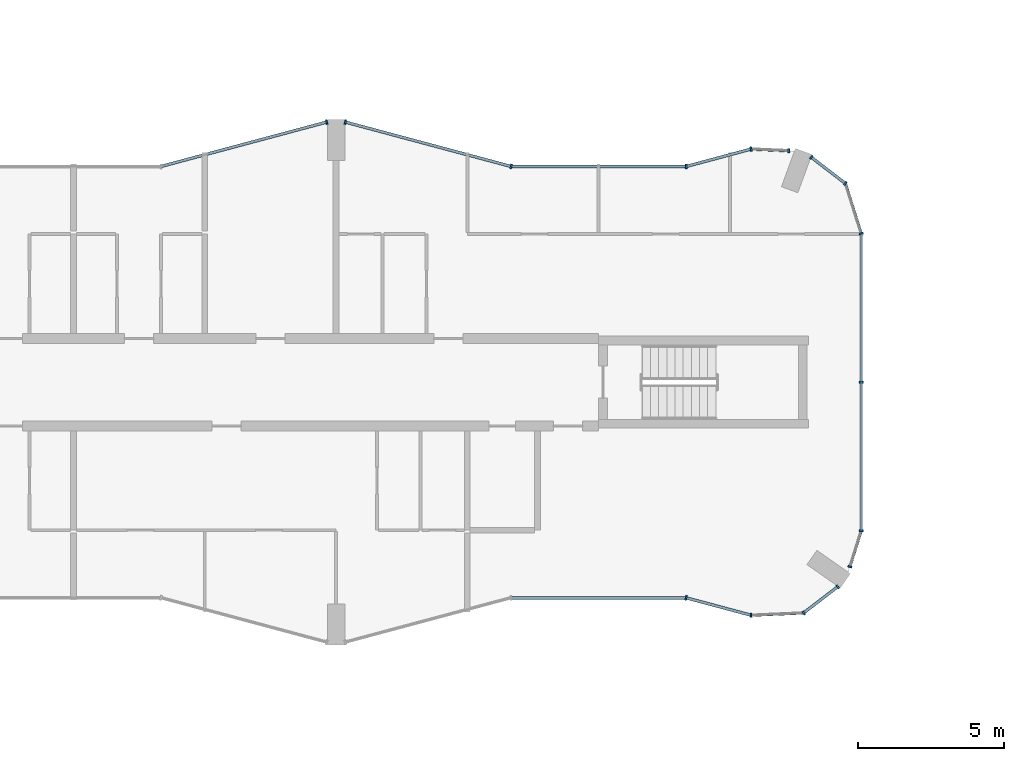
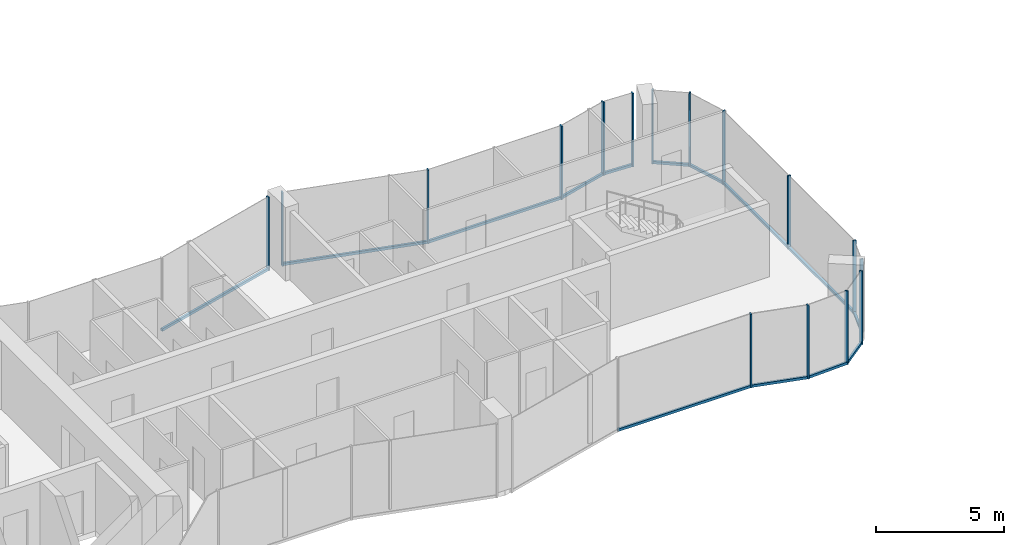
# One storey, part 5 of 23: 29 members, 13 elements without a shape of their own.
"""IFC4 building model written with IfcOpenShell, lengths in metres."""

import ifcopenshell
import ifcopenshell.guid

model = None  # the IFC model being written
_history = None  # IfcOwnerHistory: only IFC2X3 demands one
_inside = {}  # id of a spatial element -> (the spatial element, [elements in it])
_under = {}  # id of a project, library or spatial element -> (it, [spatial elements below it])
_declared = {}  # id of a project -> (the project, [libraries it declares])
_typed = {}  # id of a type object -> (the type object, [elements of that type])
_made_of = {}  # id of a material, layer set ... -> (it, [elements and type objects made of it])


def new_model(schema):
    """Start an empty IFC model of exactly this schema.

    Asked for "IFC4X3", IfcOpenShell would pick the latest addendum, in which some entities
    have other attributes; the version numbers below select the first issue.
    IFC2X3 requires an IfcOwnerHistory on every rooted entity: one is made here for all.
    """
    global model, _history
    if schema == "IFC4X3":
        model = ifcopenshell.file(schema_version=(4, 3, 0, 0))
    else:
        model = ifcopenshell.file(schema=schema)
    _inside.clear()
    _under.clear()
    _declared.clear()
    _typed.clear()
    _made_of.clear()
    _history = None
    if model.schema == "IFC2X3":
        org = make("IfcOrganization", Name="unknown")
        user = make(
            "IfcPersonAndOrganization",
            ThePerson=make("IfcPerson", FamilyName="unknown"),
            TheOrganization=org,
        )
        app = make(
            "IfcApplication",
            ApplicationDeveloper=org,
            Version="unknown",
            ApplicationFullName="unknown",
            ApplicationIdentifier="unknown",
        )
        _history = make(
            "IfcOwnerHistory",
            OwningUser=user,
            OwningApplication=app,
            ChangeAction="ADDED",
            CreationDate=0,
        )
    return model


def make(cls, **values):
    """One entity of the class cls with the attributes given. An attribute that is None is left unset."""
    return model.create_entity(
        cls, **{name: value for name, value in values.items() if value is not None}
    )


def rooted(cls, **values):
    """An entity with a GlobalId (a new one), such as an element, a storey or a relation."""
    return make(cls, GlobalId=ifcopenshell.guid.new(), OwnerHistory=_history, **values)


def si_unit(unit_type, name, prefix=None):
    """IfcSIUnit, for example si_unit("LENGTHUNIT", "METRE", prefix="MILLI")."""
    return make("IfcSIUnit", UnitType=unit_type, Prefix=prefix, Name=name)


def assignment(units):
    """IfcUnitAssignment: the units of a project."""
    return None if units is None else make("IfcUnitAssignment", Units=units)


def point(xyz):
    """IfcCartesianPoint."""
    return None if xyz is None else make("IfcCartesianPoint", Coordinates=xyz)


def direction(xyz):
    """IfcDirection."""
    return None if xyz is None else make("IfcDirection", DirectionRatios=xyz)


def frame(location, z_axis=None, x_axis=None):
    """IfcAxis2Placement3D, a coordinate frame: its origin and axes. An axis left out is left unset."""
    return make(
        "IfcAxis2Placement3D",
        Location=point(location),
        Axis=direction(z_axis),
        RefDirection=direction(x_axis),
    )


def frame_2d(location, x_axis=None):
    """IfcAxis2Placement2D, a coordinate frame in the plane: its origin and x axis."""
    return make(
        "IfcAxis2Placement2D", Location=point(location), RefDirection=direction(x_axis)
    )


def origin():
    """The frame at (0, 0, 0) with its axes left unset."""
    return frame((0.0, 0.0, 0.0))


def origin_2d():
    """The frame at (0, 0) in the plane with its x axis left unset."""
    return frame_2d((0.0, 0.0))


def place(relative_to, where):
    """IfcLocalPlacement: puts the frame where relative to a parent placement (None: the world)."""
    return make(
        "IfcLocalPlacement", PlacementRelTo=relative_to, RelativePlacement=where
    )


def context(
    kind, dimensions, precision=None, world=None, true_north=None, identifier=None
):
    """IfcGeometricRepresentationContext, for example the 3D "Model" context."""
    return make(
        "IfcGeometricRepresentationContext",
        ContextIdentifier=identifier,
        ContextType=kind,
        CoordinateSpaceDimension=dimensions,
        Precision=precision,
        WorldCoordinateSystem=world,
        TrueNorth=true_north,
    )


def subcontext(parent, identifier, kind, view, scale=None):
    """IfcGeometricRepresentationSubContext, for example "Body" below "Model"."""
    return make(
        "IfcGeometricRepresentationSubContext",
        ContextIdentifier=identifier,
        ContextType=kind,
        ParentContext=parent,
        TargetScale=scale,
        TargetView=view,
    )


def project(units=None, contexts=None):
    """IfcProject with its units and contexts."""
    return rooted(
        "IfcProject",
        Name="project",
        RepresentationContexts=contexts,
        UnitsInContext=assignment(units),
    )


def spatial(cls, under=None, at=None, **own):
    """A site, building, storey or space (cls), placed at a placement, below another one or the project."""
    s = rooted(cls, ObjectPlacement=at, **own)
    if under is not None:
        _under.setdefault(under.id(), (under, []))[1].append(s)
    return s


def profile(cls, at=None, kind="AREA", **sizes):
    """A parametric profile (cls). Its sizes go by their IFC names, for example OverallWidth=200.0."""
    return make(cls, ProfileType=kind, Position=at, **sizes)


def rectangle(**sizes):
    """IfcRectangleProfileDef."""
    return profile("IfcRectangleProfileDef", **sizes)


def extrude(swept, where, along, depth):
    """IfcExtrudedAreaSolid: the profile swept, set in the frame where, extruded along a direction by depth."""
    return make(
        "IfcExtrudedAreaSolid",
        SweptArea=swept,
        Position=where,
        ExtrudedDirection=direction(along),
        Depth=depth,
    )


def shape(context_of_items, identifier, shape_type, items):
    """IfcShapeRepresentation: the items that make up one representation, for example the "Body"."""
    return make(
        "IfcShapeRepresentation",
        ContextOfItems=context_of_items,
        RepresentationIdentifier=identifier,
        RepresentationType=shape_type,
        Items=items,
    )


def material(Name=None, Category=None):
    """IfcMaterial."""
    return make("IfcMaterial", Name=Name, Category=Category)


def layer(
    of_material, thickness, ventilated=None, Name=None, Category=None, Priority=None
):
    """IfcMaterialLayer: one layer of a wall or slab, of a material (None: an air gap)."""
    return make(
        "IfcMaterialLayer",
        Material=of_material,
        LayerThickness=thickness,
        IsVentilated=ventilated,
        Name=Name,
        Category=Category,
        Priority=Priority,
    )


def layer_set(layers, Name=None):
    """IfcMaterialLayerSet."""
    return make("IfcMaterialLayerSet", MaterialLayers=layers, LayerSetName=Name)


def material_profile(
    of_material, cross_section, Name=None, Category=None, Priority=None
):
    """IfcMaterialProfile: a cross section and its material."""
    return make(
        "IfcMaterialProfile",
        Name=Name,
        Material=of_material,
        Profile=cross_section,
        Priority=Priority,
        Category=Category,
    )


def profile_set(profiles, Name=None, composite=None):
    """IfcMaterialProfileSet."""
    return make(
        "IfcMaterialProfileSet",
        Name=Name,
        MaterialProfiles=profiles,
        CompositeProfile=composite,
    )


def made_of(thing, what):
    """Note that an element or type object is made of a material, layer set ...; save() writes the relation."""
    if what is not None:
        _made_of.setdefault(what.id(), (what, []))[1].append(thing)
    return thing


def type_object(cls, material=None, **own):
    """A type object (cls), such as IfcWallType, which elements share."""
    return made_of(rooted(cls, **own), material)


def element(
    cls,
    number,
    at=None,
    inside=None,
    cuts=None,
    type_object=None,
    material=None,
    context=None,
    identifier="Body",
    shape_type=None,
    held_by="IfcProductDefinitionShape",
    body=None,
    shapes=None,
    **own,
):
    """One element of the class cls, such as IfcWall. Its Tag is "e" and its number.

    at: its placement. inside: the storey or other place that contains it. cuts: it is an
    opening in that element (IfcRelVoidsElement). A single representation is given by context,
    identifier, shape_type and body (its items); several are given by shapes. held_by: the class
    of the entity that holds the representations. save() writes the other relations.
    """
    e = rooted(cls, Tag="e%d" % number, ObjectPlacement=at, **own)
    if body is not None:
        shapes = [shape(context, identifier, shape_type, body)]
    if shapes is not None:
        e.Representation = make(held_by, Representations=shapes)
    if inside is not None:
        _inside.setdefault(inside.id(), (inside, []))[1].append(e)
    if cuts is not None:
        rooted(
            "IfcRelVoidsElement", RelatingBuildingElement=cuts, RelatedOpeningElement=e
        )
    if type_object is not None:
        _typed.setdefault(type_object.id(), (type_object, []))[1].append(e)
    return made_of(e, material)


def aggregate(whole, parts):
    """IfcRelAggregates: a whole, such as a stair, and the parts it consists of."""
    return rooted("IfcRelAggregates", RelatingObject=whole, RelatedObjects=parts)


def save(model, path):
    """Write the relations noted so far, then the file.

    IfcRelAggregates (storeys below a building ...), IfcRelContainedInSpatialStructure (elements
    in a storey), IfcRelDefinesByType, IfcRelAssociatesMaterial and IfcRelDeclares: one each for
    every whole, place, type object, material and project.
    """
    for whole, parts in _under.values():
        aggregate(whole, parts)
    for where, things in _inside.values():
        rooted(
            "IfcRelContainedInSpatialStructure",
            RelatedElements=things,
            RelatingStructure=where,
        )
    for kind, things in _typed.values():
        rooted("IfcRelDefinesByType", RelatedObjects=things, RelatingType=kind)
    for what, things in _made_of.values():
        rooted("IfcRelAssociatesMaterial", RelatedObjects=things, RelatingMaterial=what)
    for by, libraries in _declared.values():
        rooted("IfcRelDeclares", RelatingContext=by, RelatedDefinitions=libraries)
    model.write(path)


model = new_model("IFC4")

# Units and contexts
model_context = context("Model", 3, precision=1e-05, world=origin(), true_north=direction((0.0, 1.0)))
body_context = subcontext(model_context, "Body", "Model", "MODEL_VIEW")
ifc_project = project(units=[si_unit("LENGTHUNIT", "METRE"), si_unit("AREAUNIT", "SQUARE_METRE"), si_unit("VOLUMEUNIT", "CUBIC_METRE"), si_unit("PLANEANGLEUNIT", "RADIAN"), si_unit("MASSUNIT", "GRAM", prefix="KILO")], contexts=[model_context])

# Site, building, storey
site_placement = place(None, origin())
site = spatial("IfcSite", under=ifc_project, at=site_placement, CompositionType="ELEMENT")
building_placement = place(site_placement, origin())
building = spatial("IfcBuilding", under=site, at=building_placement, Name="Plateau Cross Towers", CompositionType="ELEMENT")
storey_placement = place(building_placement, frame((0.0, 0.0, 40.800048828125)))
storey = spatial("IfcBuildingStorey", under=building, at=storey_placement, Name="L09", CompositionType="ELEMENT", Elevation=40.800048828125)

# Curtain wall, member
ifc_material_1 = material(Name="Dark low-iron glass", Category="glass")
ifc_layer_1 = layer(ifc_material_1, 0.239990234375)
ifc_layer_set_1 = layer_set([ifc_layer_1], Name="Dark low-iron glass")
curtain_wall_type_1 = type_object("IfcCurtainWallType", Name="Curtain wall flush unitised CW-B", PredefinedType="NOTDEFINED", material=ifc_layer_set_1)
curtain_wall_1_placement = place(storey_placement, origin())
curtain_wall_1 = element("IfcCurtainWall", 1, at=curtain_wall_1_placement, inside=storey, type_object=curtain_wall_type_1, Name="ENV/A/L09/A502_10", PredefinedType="NOTDEFINED")
ifc_material_2 = material(Name="Black anodised aluminium", Category="aluminium")
ifc_material_profile_1 = material_profile(ifc_material_2, rectangle(XDim=0.06005859375, YDim=0.139892578125, at=origin_2d()), Name="MULLION 60x140")
ifc_profile_set_1 = profile_set([ifc_material_profile_1], Name="Black anodised aluminium")
member_type_1 = type_object("IfcMemberType", Name="Mullion 60x140 flush unitised", PredefinedType="MULLION", material=ifc_profile_set_1)
member_1_placement = place(storey_placement, frame((50.223876953125, 1.01123046875, -0.25), z_axis=(0.0, 0.0, 1.0), x_axis=(0.999043701491, 0.043722791671, 0.0)))
member_1 = element("IfcMember", 2, at=member_1_placement, type_object=member_type_1, Name="CW-B mullion 1", PredefinedType="MULLION", context=body_context, shape_type="SweptSolid", body=[
    extrude(rectangle(XDim=0.06005859375, YDim=0.139892578125, at=origin_2d()), origin(), (0.0, 0.0, 1.0), 3.5),
])

# Curtain wall, members
curtain_wall_2_placement = place(storey_placement, origin())
curtain_wall_2 = element("IfcCurtainWall", 3, at=curtain_wall_2_placement, inside=storey, type_object=curtain_wall_type_1, Name="ENV/A/L09/A520_11", PredefinedType="NOTDEFINED")
member_2_placement = place(storey_placement, frame((52.0263671875, 1.090087890625, -0.25), z_axis=(0.0, 0.0, 1.0), x_axis=(0.793315514529, 0.608810721331, 0.0)))
member_2 = element("IfcMember", 4, at=member_2_placement, type_object=member_type_1, Name="CW-B mullion 1", PredefinedType="MULLION", context=body_context, shape_type="SweptSolid", body=[
    extrude(rectangle(XDim=0.06005859375, YDim=0.139892578125, at=origin_2d()), origin(), (0.0, 0.0, 1.0), 3.5),
])
member_3_placement = place(storey_placement, frame((53.193603515625, 1.986083984375, -0.25), z_axis=(0.0, 0.0, 1.0), x_axis=(0.793315514529, 0.608810721331, 0.0)))
member_3 = element("IfcMember", 5, at=member_3_placement, type_object=member_type_1, Name="CW-B mullion 2", PredefinedType="MULLION", context=body_context, shape_type="SweptSolid", body=[
    extrude(rectangle(XDim=0.06005859375, YDim=0.139892578125, at=origin_2d()), origin(), (0.0, 0.0, 1.0), 3.5),
])

# Curtain wall, member
curtain_wall_3_placement = place(storey_placement, origin())
curtain_wall_3 = element("IfcCurtainWall", 6, at=curtain_wall_3_placement, inside=storey, type_object=curtain_wall_type_1, Name="ENV/A/L09/A536_27", PredefinedType="NOTDEFINED")
member_4_placement = place(storey_placement, frame((53.611083984375, 2.67529296875, -0.25), z_axis=(0.0, 0.0, 1.0), x_axis=(0.300686174994, 0.95372313811, 0.0)))
member_4 = element("IfcMember", 7, at=member_4_placement, type_object=member_type_1, Name="CW-B mullion 1", PredefinedType="MULLION", context=body_context, shape_type="SweptSolid", body=[
    extrude(rectangle(XDim=0.06005859375, YDim=0.139892578125, at=origin_2d()), origin(), (0.0, 0.0, 1.0), 3.5),
])

# Curtain wall, members
curtain_wall_4_placement = place(storey_placement, origin())
curtain_wall_4 = element("IfcCurtainWall", 8, at=curtain_wall_4_placement, inside=storey, type_object=curtain_wall_type_1, Name="ENV/A/L09/A540_39", PredefinedType="NOTDEFINED")
member_5_placement = place(storey_placement, frame((54.0, 3.9091796875, -0.25), z_axis=(0.0, 0.0, 1.0), x_axis=(0.0, 1.0, 0.0)))
member_5 = element("IfcMember", 9, at=member_5_placement, type_object=member_type_1, Name="CW-B mullion 1", PredefinedType="MULLION", context=body_context, shape_type="SweptSolid", body=[
    extrude(rectangle(XDim=0.06005859375, YDim=0.139892578125, at=origin_2d()), origin(), (0.0, 0.0, 1.0), 3.5),
])
member_6_placement = place(storey_placement, frame((54.0, 9.0, -0.25), z_axis=(0.0, 0.0, 1.0), x_axis=(0.0, 1.0, 0.0)))
member_6 = element("IfcMember", 10, at=member_6_placement, type_object=member_type_1, Name="CW-B mullion 2", PredefinedType="MULLION", context=body_context, shape_type="SweptSolid", body=[
    extrude(rectangle(XDim=0.06005859375, YDim=0.139892578125, at=origin_2d()), origin(), (0.0, 0.0, 1.0), 3.5),
])

# Curtain wall, member
curtain_wall_5_placement = place(storey_placement, origin())
curtain_wall_5 = element("IfcCurtainWall", 11, at=curtain_wall_5_placement, inside=storey, type_object=curtain_wall_type_1, Name="ENV/A/L09/A540_141", PredefinedType="NOTDEFINED")
member_7_placement = place(storey_placement, frame((54.0, 14.0908203125, -0.25), z_axis=(0.0, 0.0, 1.0), x_axis=(-0.300686174994, 0.95372313811, 0.0)))
member_7 = element("IfcMember", 12, at=member_7_placement, type_object=member_type_1, Name="CW-B mullion 1", PredefinedType="MULLION", context=body_context, shape_type="SweptSolid", body=[
    extrude(rectangle(XDim=0.06005859375, YDim=0.139892578125, at=origin_2d()), origin(), (0.0, 0.0, 1.0), 3.5),
])

# Curtain wall, members
curtain_wall_6_placement = place(storey_placement, origin())
curtain_wall_6 = element("IfcCurtainWall", 13, at=curtain_wall_6_placement, inside=storey, type_object=curtain_wall_type_1, Name="ENV/A/L09/A535_158", PredefinedType="NOTDEFINED")
member_8_placement = place(storey_placement, frame((53.45751953125, 15.8115234375, -0.25), z_axis=(0.0, 0.0, 1.0), x_axis=(-0.793315514529, 0.608810721331, 0.0)))
member_8 = element("IfcMember", 14, at=member_8_placement, type_object=member_type_1, Name="CW-B mullion 1", PredefinedType="MULLION", context=body_context, shape_type="SweptSolid", body=[
    extrude(rectangle(XDim=0.06005859375, YDim=0.139892578125, at=origin_2d()), origin(), (0.0, 0.0, 1.0), 3.5),
])
member_9_placement = place(storey_placement, frame((52.290283203125, 16.707275390625, -0.25), z_axis=(0.0, 0.0, 1.0), x_axis=(-0.793315514529, 0.608810721331, 0.0)))
member_9 = element("IfcMember", 15, at=member_9_placement, type_object=member_type_1, Name="CW-B mullion 2", PredefinedType="MULLION", context=body_context, shape_type="SweptSolid", body=[
    extrude(rectangle(XDim=0.06005859375, YDim=0.139892578125, at=origin_2d()), origin(), (0.0, 0.0, 1.0), 3.5),
])

# Curtain wall, member
curtain_wall_7_placement = place(storey_placement, origin())
curtain_wall_7 = element("IfcCurtainWall", 16, at=curtain_wall_7_placement, inside=storey, type_object=curtain_wall_type_1, Name="ENV/A/L09/A515_169", PredefinedType="NOTDEFINED")
member_10_placement = place(storey_placement, frame((51.516357421875, 16.93212890625, -0.25), z_axis=(0.0, 0.0, 1.0), x_axis=(-0.999043701491, 0.043722791671, 0.0)))
member_10 = element("IfcMember", 17, at=member_10_placement, type_object=member_type_1, Name="CW-B mullion 1", PredefinedType="MULLION", context=body_context, shape_type="SweptSolid", body=[
    extrude(rectangle(XDim=0.06005859375, YDim=0.139892578125, at=origin_2d()), origin(), (0.0, 0.0, 1.0), 3.5),
])

ifc_layer_2 = layer(ifc_material_1, 0.260009765625)
ifc_layer_set_2 = layer_set([ifc_layer_2], Name="Dark low-iron glass")
curtain_wall_type_2 = type_object("IfcCurtainWallType", Name="Curtain wall fluted unitised CW-A", PredefinedType="NOTDEFINED", material=ifc_layer_set_2)
curtain_wall_8_placement = place(storey_placement, origin())
curtain_wall_8 = element("IfcCurtainWall", 18, at=curtain_wall_8_placement, inside=storey, type_object=curtain_wall_type_2, Name="ENV/A/L09/A480_16", PredefinedType="NOTDEFINED")
ifc_material_profile_2 = material_profile(ifc_material_2, rectangle(XDim=0.06005859375, YDim=0.159912109375, at=origin_2d()), Name="MULLION 60x160")
ifc_profile_set_2 = profile_set([ifc_material_profile_2], Name="Black anodised aluminium")
member_type_2 = type_object("IfcMemberType", Name="Mullion 60x160 fluted unitised", PredefinedType="MULLION", material=ifc_profile_set_2)
member_11_placement = place(storey_placement, frame((48.0, 1.60693359375, -0.25), z_axis=(0.0, 0.0, 1.0), x_axis=(0.965957962328, -0.258699081978, 0.0)))
member_11 = element("IfcMember", 19, at=member_11_placement, type_object=member_type_2, Name="CW-A mullion 1", PredefinedType="MULLION", context=body_context, shape_type="SweptSolid", body=[
    extrude(rectangle(XDim=0.06005859375, YDim=0.159912109375, at=origin_2d()), origin(), (0.0, 0.0, 1.0), 3.5),
])

curtain_wall_9_placement = place(storey_placement, origin())
curtain_wall_9 = element("IfcCurtainWall", 20, at=curtain_wall_9_placement, inside=storey, type_object=curtain_wall_type_2, Name="ENV/A/L09/A502_170", PredefinedType="NOTDEFINED")
member_12_placement = place(storey_placement, frame((50.223876953125, 16.98876953125, -0.25), z_axis=(0.0, 0.0, 1.0), x_axis=(-0.965957962328, -0.258699081978, 0.0)))
member_12 = element("IfcMember", 21, at=member_12_placement, type_object=member_type_2, Name="CW-A mullion 1", PredefinedType="MULLION", context=body_context, shape_type="SweptSolid", body=[
    extrude(rectangle(XDim=0.06005859375, YDim=0.159912109375, at=origin_2d()), origin(), (0.0, 0.0, 1.0), 3.5),
])

curtain_wall_10_placement = place(storey_placement, origin())
curtain_wall_10 = element("IfcCurtainWall", 22, at=curtain_wall_10_placement, inside=storey, type_object=curtain_wall_type_2, Name="ENV/A/L09/A480_164", PredefinedType="NOTDEFINED")
member_13_placement = place(storey_placement, frame((48.0, 16.39306640625, -0.25), z_axis=(0.0, 0.0, 1.0), x_axis=(-1.0, 0.0, 0.0)))
member_13 = element("IfcMember", 23, at=member_13_placement, type_object=member_type_2, Name="CW-A mullion 1", PredefinedType="MULLION", context=body_context, shape_type="SweptSolid", body=[
    extrude(rectangle(XDim=0.06005859375, YDim=0.159912109375, at=origin_2d()), origin(), (0.0, 0.0, 1.0), 3.5),
])

# Curtain wall, members
curtain_wall_11_placement = place(storey_placement, origin())
curtain_wall_11 = element("IfcCurtainWall", 24, at=curtain_wall_11_placement, inside=storey, type_object=curtain_wall_type_2, Name="ENV/A/L09/A420_164", PredefinedType="NOTDEFINED")
member_14_placement = place(storey_placement, frame((42.0, 16.39306640625, -0.25), z_axis=(0.0, 0.0, 1.0), x_axis=(-0.965957983404, 0.258699003279, 0.0)))
member_14 = element("IfcMember", 25, at=member_14_placement, type_object=member_type_2, Name="CW-A mullion 1", PredefinedType="MULLION", context=body_context, shape_type="SweptSolid", body=[
    extrude(rectangle(XDim=0.06005859375, YDim=0.159912109375, at=origin_2d()), origin(), (0.0, 0.0, 1.0), 3.5),
])
member_15_placement = place(storey_placement, frame((36.31787109375, 17.914794921875, -0.25), z_axis=(0.0, 0.0, 1.0), x_axis=(-0.965957983404, 0.258699003279, 0.0)))
member_15 = element("IfcMember", 26, at=member_15_placement, type_object=member_type_2, Name="CW-A mullion 2", PredefinedType="MULLION", context=body_context, shape_type="SweptSolid", body=[
    extrude(rectangle(XDim=0.06005859375, YDim=0.159912109375, at=origin_2d()), origin(), (0.0, 0.0, 1.0), 3.5),
])

# Curtain wall, member
curtain_wall_12_placement = place(storey_placement, origin())
curtain_wall_12 = element("IfcCurtainWall", 27, at=curtain_wall_12_placement, inside=storey, type_object=curtain_wall_type_2, Name="ENV/A/L09/A357_179", PredefinedType="NOTDEFINED")
member_16_placement = place(storey_placement, frame((35.68212890625, 17.914794921875, -0.25), z_axis=(0.0, 0.0, 1.0), x_axis=(-0.965957983404, -0.258699003279, 0.0)))
member_16 = element("IfcMember", 28, at=member_16_placement, type_object=member_type_2, Name="CW-A mullion 1", PredefinedType="MULLION", context=body_context, shape_type="SweptSolid", body=[
    extrude(rectangle(XDim=0.06005859375, YDim=0.159912109375, at=origin_2d()), origin(), (0.0, 0.0, 1.0), 3.5),
])

# Member
ifc_material_profile_3 = material_profile(ifc_material_2, rectangle(XDim=0.10009765625, YDim=0.1201171875, at=origin_2d()), Name="TRANSOM 100x120")
ifc_profile_set_3 = profile_set([ifc_material_profile_3], Name="Black anodised aluminium")
member_type_3 = type_object("IfcMemberType", Name="Transom 100x120 flush unitised", PredefinedType="USERDEFINED", material=ifc_profile_set_3)
member_17_placement = place(storey_placement, frame((50.223876953125, 1.01123046875, -0.18994140625), z_axis=(0.999044377355, 0.043707345779, 0.0), x_axis=(-0.043707345779, 0.999044377355, 0.0)))
member_17 = element("IfcMember", 29, at=member_17_placement, type_object=member_type_3, Name="CW-B transom", ObjectType="TRANSOM", PredefinedType="USERDEFINED", context=body_context, shape_type="SweptSolid", body=[
    extrude(rectangle(XDim=0.10009765625, YDim=0.1201171875, at=origin_2d()), origin(), (0.0, 0.0, 1.0), 1.80419921875),
])

aggregate(curtain_wall_1, [member_1, member_17])

member_18_placement = place(storey_placement, frame((52.0263671875, 1.090087890625, -0.18994140625), z_axis=(0.793240368515, 0.608908628415, 0.0), x_axis=(-0.608908628415, 0.793240368515, 0.0)))
member_18 = element("IfcMember", 30, at=member_18_placement, type_object=member_type_3, Name="CW-B transom", ObjectType="TRANSOM", PredefinedType="USERDEFINED", context=body_context, shape_type="SweptSolid", body=[
    extrude(rectangle(XDim=0.10009765625, YDim=0.1201171875, at=origin_2d()), origin(), (0.0, 0.0, 1.0), 1.471435546875),
])

aggregate(curtain_wall_2, [member_2, member_3, member_18])

member_19_placement = place(storey_placement, frame((53.611083984375, 2.67529296875, -0.18994140625), z_axis=(0.300616528216, 0.953745093284, 0.0), x_axis=(-0.953745093284, 0.300616528216, 0.0)))
member_19 = element("IfcMember", 31, at=member_19_placement, type_object=member_type_3, Name="CW-B transom", ObjectType="TRANSOM", PredefinedType="USERDEFINED", context=body_context, shape_type="SweptSolid", body=[
    extrude(rectangle(XDim=0.10009765625, YDim=0.1201171875, at=origin_2d()), origin(), (0.0, 0.0, 1.0), 1.293701171875),
])

aggregate(curtain_wall_3, [member_4, member_19])

member_20_placement = place(storey_placement, frame((54.0, 3.9091796875, -0.18994140625), z_axis=(0.0, 1.0, 0.0), x_axis=(-1.0, 0.0, 0.0)))
member_20 = element("IfcMember", 32, at=member_20_placement, type_object=member_type_3, Name="CW-B transom", ObjectType="TRANSOM", PredefinedType="USERDEFINED", context=body_context, shape_type="SweptSolid", body=[
    extrude(rectangle(XDim=0.10009765625, YDim=0.1201171875, at=origin_2d()), origin(), (0.0, 0.0, 1.0), 10.181640625),
])

aggregate(curtain_wall_4, [member_5, member_6, member_20])

member_21_placement = place(storey_placement, frame((54.0, 14.0908203125, -0.18994140625), z_axis=(-0.30067799945, 0.953725715626, 0.0), x_axis=(-0.953725715626, -0.30067799945, 0.0)))
member_21 = element("IfcMember", 33, at=member_21_placement, type_object=member_type_3, Name="CW-B transom", ObjectType="TRANSOM", PredefinedType="USERDEFINED", context=body_context, shape_type="SweptSolid", body=[
    extrude(rectangle(XDim=0.10009765625, YDim=0.1201171875, at=origin_2d()), origin(), (0.0, 0.0, 1.0), 1.80419921875),
])

aggregate(curtain_wall_5, [member_7, member_21])

member_22_placement = place(storey_placement, frame((53.45751953125, 15.8115234375, -0.18994140625), z_axis=(-0.793320508571, 0.608804213751, 0.0), x_axis=(-0.608804213751, -0.793320508571, 0.0)))
member_22 = element("IfcMember", 34, at=member_22_placement, type_object=member_type_3, Name="CW-B transom", ObjectType="TRANSOM", PredefinedType="USERDEFINED", context=body_context, shape_type="SweptSolid", body=[
    extrude(rectangle(XDim=0.10009765625, YDim=0.1201171875, at=origin_2d()), origin(), (0.0, 0.0, 1.0), 1.471435546875),
])

aggregate(curtain_wall_6, [member_8, member_9, member_22])

member_23_placement = place(storey_placement, frame((51.516357421875, 16.93212890625, -0.18994140625), z_axis=(-0.999041144614, 0.043781175963, 0.0), x_axis=(-0.043781175963, -0.999041144614, 0.0)))
member_23 = element("IfcMember", 35, at=member_23_placement, type_object=member_type_3, Name="CW-B transom", ObjectType="TRANSOM", PredefinedType="USERDEFINED", context=body_context, shape_type="SweptSolid", body=[
    extrude(rectangle(XDim=0.10009765625, YDim=0.1201171875, at=origin_2d()), origin(), (0.0, 0.0, 1.0), 1.293701171875),
])

aggregate(curtain_wall_7, [member_10, member_23])

# Curtain wall, member
curtain_wall_13_placement = place(storey_placement, origin())
curtain_wall_13 = element("IfcCurtainWall", 36, at=curtain_wall_13_placement, inside=storey, type_object=curtain_wall_type_2, Name="ENV/A/L09/A420_16", PredefinedType="NOTDEFINED")
ifc_material_profile_4 = material_profile(ifc_material_2, rectangle(XDim=0.10009765625, YDim=0.1201171875, at=origin_2d()), Name="TRANSOM 100x120")
ifc_profile_set_4 = profile_set([ifc_material_profile_4], Name="Black anodised aluminium")
member_type_4 = type_object("IfcMemberType", Name="Transom 100x120 fluted unitised", PredefinedType="USERDEFINED", material=ifc_profile_set_4)
member_24_placement = place(storey_placement, frame((42.0, 1.60693359375, -0.18994140625), z_axis=(1.0, 0.0, 0.0), x_axis=(0.0, 1.0, 0.0)))
member_24 = element("IfcMember", 37, at=member_24_placement, type_object=member_type_4, Name="CW-A transom", ObjectType="TRANSOM", PredefinedType="USERDEFINED", context=body_context, shape_type="SweptSolid", body=[
    extrude(rectangle(XDim=0.10009765625, YDim=0.1201171875, at=origin_2d()), origin(), (0.0, 0.0, 1.0), 6.0),
])
aggregate(curtain_wall_13, [member_24])

# Member
member_25_placement = place(storey_placement, frame((48.0, 1.60693359375, -0.18994140625), z_axis=(0.965945685136, -0.258744919501, 0.0), x_axis=(0.258744919501, 0.965945685136, 0.0)))
member_25 = element("IfcMember", 38, at=member_25_placement, type_object=member_type_4, Name="CW-A transom", ObjectType="TRANSOM", PredefinedType="USERDEFINED", context=body_context, shape_type="SweptSolid", body=[
    extrude(rectangle(XDim=0.10009765625, YDim=0.1201171875, at=origin_2d()), origin(), (0.0, 0.0, 1.0), 2.30224609375),
])

aggregate(curtain_wall_8, [member_11, member_25])

member_26_placement = place(storey_placement, frame((50.223876953125, 16.98876953125, -0.18994140625), z_axis=(-0.965945685136, -0.258744919501, 0.0), x_axis=(0.258744919501, -0.965945685136, 0.0)))
member_26 = element("IfcMember", 39, at=member_26_placement, type_object=member_type_4, Name="CW-A transom", ObjectType="TRANSOM", PredefinedType="USERDEFINED", context=body_context, shape_type="SweptSolid", body=[
    extrude(rectangle(XDim=0.10009765625, YDim=0.1201171875, at=origin_2d()), origin(), (0.0, 0.0, 1.0), 2.30224609375),
])

aggregate(curtain_wall_9, [member_12, member_26])

member_27_placement = place(storey_placement, frame((48.0, 16.39306640625, -0.18994140625), z_axis=(-1.0, 0.0, 0.0), x_axis=(0.0, -1.0, 0.0)))
member_27 = element("IfcMember", 40, at=member_27_placement, type_object=member_type_4, Name="CW-A transom", ObjectType="TRANSOM", PredefinedType="USERDEFINED", context=body_context, shape_type="SweptSolid", body=[
    extrude(rectangle(XDim=0.10009765625, YDim=0.1201171875, at=origin_2d()), origin(), (0.0, 0.0, 1.0), 6.0),
])

aggregate(curtain_wall_10, [member_13, member_27])

member_28_placement = place(storey_placement, frame((42.0, 16.39306640625, -0.18994140625), z_axis=(-0.965959534794, 0.258693210465, 0.0), x_axis=(-0.258693210465, -0.965959534794, 0.0)))
member_28 = element("IfcMember", 41, at=member_28_placement, type_object=member_type_4, Name="CW-A transom", ObjectType="TRANSOM", PredefinedType="USERDEFINED", context=body_context, shape_type="SweptSolid", body=[
    extrude(rectangle(XDim=0.10009765625, YDim=0.1201171875, at=origin_2d()), origin(), (0.0, 0.0, 1.0), 5.88232421875),
])

aggregate(curtain_wall_11, [member_14, member_15, member_28])

member_29_placement = place(storey_placement, frame((35.68212890625, 17.914794921875, -0.18994140625), z_axis=(-0.965959534794, -0.258693210465, 0.0), x_axis=(0.258693210465, -0.965959534794, 0.0)))
member_29 = element("IfcMember", 42, at=member_29_placement, type_object=member_type_4, Name="CW-A transom", ObjectType="TRANSOM", PredefinedType="USERDEFINED", context=body_context, shape_type="SweptSolid", body=[
    extrude(rectangle(XDim=0.10009765625, YDim=0.1201171875, at=origin_2d()), origin(), (0.0, 0.0, 1.0), 5.88232421875),
])

aggregate(curtain_wall_12, [member_16, member_29])

save(model, "model.ifc")
